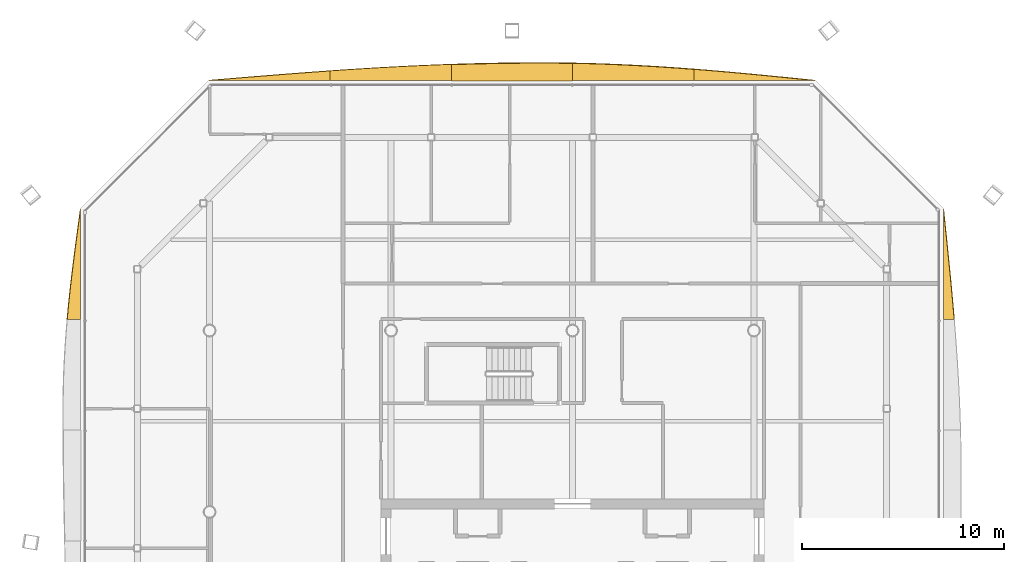
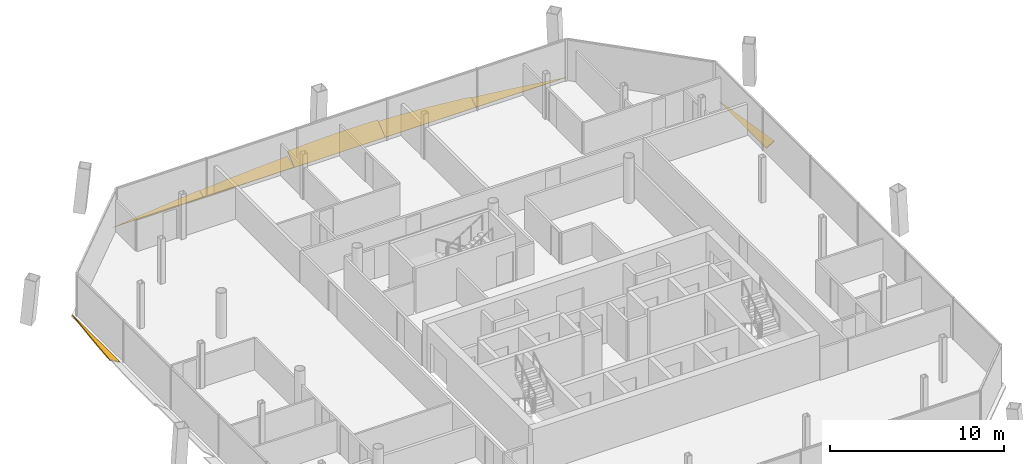
# One storey, part 20 of 20: 7 shading devices.
"""IFC4 building model written with IfcOpenShell, lengths in metres."""

import ifcopenshell
import ifcopenshell.guid

model = None  # the IFC model being written
_history = None  # IfcOwnerHistory: only IFC2X3 demands one
_inside = {}  # id of a spatial element -> (the spatial element, [elements in it])
_under = {}  # id of a project, library or spatial element -> (it, [spatial elements below it])
_declared = {}  # id of a project -> (the project, [libraries it declares])
_typed = {}  # id of a type object -> (the type object, [elements of that type])
_made_of = {}  # id of a material, layer set ... -> (it, [elements and type objects made of it])


def new_model(schema):
    """Start an empty IFC model of exactly this schema.

    Asked for "IFC4X3", IfcOpenShell would pick the latest addendum, in which some entities
    have other attributes; the version numbers below select the first issue.
    IFC2X3 requires an IfcOwnerHistory on every rooted entity: one is made here for all.
    """
    global model, _history
    if schema == "IFC4X3":
        model = ifcopenshell.file(schema_version=(4, 3, 0, 0))
    else:
        model = ifcopenshell.file(schema=schema)
    _inside.clear()
    _under.clear()
    _declared.clear()
    _typed.clear()
    _made_of.clear()
    _history = None
    if model.schema == "IFC2X3":
        org = make("IfcOrganization", Name="unknown")
        user = make(
            "IfcPersonAndOrganization",
            ThePerson=make("IfcPerson", FamilyName="unknown"),
            TheOrganization=org,
        )
        app = make(
            "IfcApplication",
            ApplicationDeveloper=org,
            Version="unknown",
            ApplicationFullName="unknown",
            ApplicationIdentifier="unknown",
        )
        _history = make(
            "IfcOwnerHistory",
            OwningUser=user,
            OwningApplication=app,
            ChangeAction="ADDED",
            CreationDate=0,
        )
    return model


def make(cls, **values):
    """One entity of the class cls with the attributes given. An attribute that is None is left unset."""
    return model.create_entity(
        cls, **{name: value for name, value in values.items() if value is not None}
    )


def rooted(cls, **values):
    """An entity with a GlobalId (a new one), such as an element, a storey or a relation."""
    return make(cls, GlobalId=ifcopenshell.guid.new(), OwnerHistory=_history, **values)


def si_unit(unit_type, name, prefix=None):
    """IfcSIUnit, for example si_unit("LENGTHUNIT", "METRE", prefix="MILLI")."""
    return make("IfcSIUnit", UnitType=unit_type, Prefix=prefix, Name=name)


def assignment(units):
    """IfcUnitAssignment: the units of a project."""
    return None if units is None else make("IfcUnitAssignment", Units=units)


def point(xyz):
    """IfcCartesianPoint."""
    return None if xyz is None else make("IfcCartesianPoint", Coordinates=xyz)


def direction(xyz):
    """IfcDirection."""
    return None if xyz is None else make("IfcDirection", DirectionRatios=xyz)


def frame(location, z_axis=None, x_axis=None):
    """IfcAxis2Placement3D, a coordinate frame: its origin and axes. An axis left out is left unset."""
    return make(
        "IfcAxis2Placement3D",
        Location=point(location),
        Axis=direction(z_axis),
        RefDirection=direction(x_axis),
    )


def origin():
    """The frame at (0, 0, 0) with its axes left unset."""
    return frame((0.0, 0.0, 0.0))


def place(relative_to, where):
    """IfcLocalPlacement: puts the frame where relative to a parent placement (None: the world)."""
    return make(
        "IfcLocalPlacement", PlacementRelTo=relative_to, RelativePlacement=where
    )


def context(
    kind, dimensions, precision=None, world=None, true_north=None, identifier=None
):
    """IfcGeometricRepresentationContext, for example the 3D "Model" context."""
    return make(
        "IfcGeometricRepresentationContext",
        ContextIdentifier=identifier,
        ContextType=kind,
        CoordinateSpaceDimension=dimensions,
        Precision=precision,
        WorldCoordinateSystem=world,
        TrueNorth=true_north,
    )


def subcontext(parent, identifier, kind, view, scale=None):
    """IfcGeometricRepresentationSubContext, for example "Body" below "Model"."""
    return make(
        "IfcGeometricRepresentationSubContext",
        ContextIdentifier=identifier,
        ContextType=kind,
        ParentContext=parent,
        TargetScale=scale,
        TargetView=view,
    )


def project(units=None, contexts=None):
    """IfcProject with its units and contexts."""
    return rooted(
        "IfcProject",
        Name="project",
        RepresentationContexts=contexts,
        UnitsInContext=assignment(units),
    )


def spatial(cls, under=None, at=None, **own):
    """A site, building, storey or space (cls), placed at a placement, below another one or the project."""
    s = rooted(cls, ObjectPlacement=at, **own)
    if under is not None:
        _under.setdefault(under.id(), (under, []))[1].append(s)
    return s


def polyline(points):
    """IfcPolyline through the points."""
    return make("IfcPolyline", Points=[point(p) for p in points])


def outline(outer, holes=None, kind="AREA"):
    """IfcArbitraryClosedProfileDef: a profile drawn as a closed curve; with holes, ...WithVoids."""
    if holes is None:
        return make("IfcArbitraryClosedProfileDef", ProfileType=kind, OuterCurve=outer)
    return make(
        "IfcArbitraryProfileDefWithVoids",
        ProfileType=kind,
        OuterCurve=outer,
        InnerCurves=holes,
    )


def extrude(swept, where, along, depth):
    """IfcExtrudedAreaSolid: the profile swept, set in the frame where, extruded along a direction by depth."""
    return make(
        "IfcExtrudedAreaSolid",
        SweptArea=swept,
        Position=where,
        ExtrudedDirection=direction(along),
        Depth=depth,
    )


def shape(context_of_items, identifier, shape_type, items):
    """IfcShapeRepresentation: the items that make up one representation, for example the "Body"."""
    return make(
        "IfcShapeRepresentation",
        ContextOfItems=context_of_items,
        RepresentationIdentifier=identifier,
        RepresentationType=shape_type,
        Items=items,
    )


def material(Name=None, Category=None):
    """IfcMaterial."""
    return make("IfcMaterial", Name=Name, Category=Category)


def layer(
    of_material, thickness, ventilated=None, Name=None, Category=None, Priority=None
):
    """IfcMaterialLayer: one layer of a wall or slab, of a material (None: an air gap)."""
    return make(
        "IfcMaterialLayer",
        Material=of_material,
        LayerThickness=thickness,
        IsVentilated=ventilated,
        Name=Name,
        Category=Category,
        Priority=Priority,
    )


def layer_set(layers, Name=None):
    """IfcMaterialLayerSet."""
    return make("IfcMaterialLayerSet", MaterialLayers=layers, LayerSetName=Name)


def made_of(thing, what):
    """Note that an element or type object is made of a material, layer set ...; save() writes the relation."""
    if what is not None:
        _made_of.setdefault(what.id(), (what, []))[1].append(thing)
    return thing


def type_object(cls, material=None, **own):
    """A type object (cls), such as IfcWallType, which elements share."""
    return made_of(rooted(cls, **own), material)


def element(
    cls,
    number,
    at=None,
    inside=None,
    cuts=None,
    type_object=None,
    material=None,
    context=None,
    identifier="Body",
    shape_type=None,
    held_by="IfcProductDefinitionShape",
    body=None,
    shapes=None,
    **own,
):
    """One element of the class cls, such as IfcWall. Its Tag is "e" and its number.

    at: its placement. inside: the storey or other place that contains it. cuts: it is an
    opening in that element (IfcRelVoidsElement). A single representation is given by context,
    identifier, shape_type and body (its items); several are given by shapes. held_by: the class
    of the entity that holds the representations. save() writes the other relations.
    """
    e = rooted(cls, Tag="e%d" % number, ObjectPlacement=at, **own)
    if body is not None:
        shapes = [shape(context, identifier, shape_type, body)]
    if shapes is not None:
        e.Representation = make(held_by, Representations=shapes)
    if inside is not None:
        _inside.setdefault(inside.id(), (inside, []))[1].append(e)
    if cuts is not None:
        rooted(
            "IfcRelVoidsElement", RelatingBuildingElement=cuts, RelatedOpeningElement=e
        )
    if type_object is not None:
        _typed.setdefault(type_object.id(), (type_object, []))[1].append(e)
    return made_of(e, material)


def aggregate(whole, parts):
    """IfcRelAggregates: a whole, such as a stair, and the parts it consists of."""
    return rooted("IfcRelAggregates", RelatingObject=whole, RelatedObjects=parts)


def save(model, path):
    """Write the relations noted so far, then the file.

    IfcRelAggregates (storeys below a building ...), IfcRelContainedInSpatialStructure (elements
    in a storey), IfcRelDefinesByType, IfcRelAssociatesMaterial and IfcRelDeclares: one each for
    every whole, place, type object, material and project.
    """
    for whole, parts in _under.values():
        aggregate(whole, parts)
    for where, things in _inside.values():
        rooted(
            "IfcRelContainedInSpatialStructure",
            RelatedElements=things,
            RelatingStructure=where,
        )
    for kind, things in _typed.values():
        rooted("IfcRelDefinesByType", RelatedObjects=things, RelatingType=kind)
    for what, things in _made_of.values():
        rooted("IfcRelAssociatesMaterial", RelatedObjects=things, RelatingMaterial=what)
    for by, libraries in _declared.values():
        rooted("IfcRelDeclares", RelatingContext=by, RelatedDefinitions=libraries)
    model.write(path)


model = new_model("IFC4")

# Units and contexts
model_context = context("Model", 3, precision=1e-05, world=origin(), true_north=direction((0.0, 1.0)))
body_context = subcontext(model_context, "Body", "Model", "MODEL_VIEW")
ifc_project = project(units=[si_unit("LENGTHUNIT", "METRE"), si_unit("AREAUNIT", "SQUARE_METRE"), si_unit("VOLUMEUNIT", "CUBIC_METRE"), si_unit("PLANEANGLEUNIT", "RADIAN"), si_unit("MASSUNIT", "GRAM", prefix="KILO")], contexts=[model_context])

# Site, building, storey
site_placement = place(None, origin())
site = spatial("IfcSite", under=ifc_project, at=site_placement, CompositionType="ELEMENT")
building_placement = place(site_placement, origin())
building = spatial("IfcBuilding", under=site, at=building_placement, Name="Tskaro Facet Tower", CompositionType="ELEMENT")
storey_placement = place(building_placement, frame((0.0, 0.0, 178.5)))
storey = spatial("IfcBuildingStorey", under=building, at=storey_placement, Name="L44", CompositionType="ELEMENT", Elevation=178.5)

# Shading devices
ifc_material = material(Name="Bronze anodised aluminium 6063-T6", Category="aluminium")
ifc_layer = layer(ifc_material, 0.06005859375, Name="Bronze anodised aluminium 6063-T6")
ifc_layer_set = layer_set([ifc_layer], Name="Bronze anodised aluminium 6063-T6")
shading_device_type = type_object("IfcShadingDeviceType", Name="Bronze sun blade (FN1)", PredefinedType="USERDEFINED", material=ifc_layer_set)
shading_device_1_placement = place(storey_placement, frame((18.39599609375, 9.545166015625, 0.052001953125), z_axis=(-0.499950924355, -1.985541e-06, 0.866053735765), x_axis=(-9.92673e-07, 0.999999999998, 1.719585e-06)))
element("IfcShadingDevice", 1, at=shading_device_1_placement, inside=storey, type_object=shading_device_type, Name="Fin blade east 6", ObjectType="FIN", PredefinedType="USERDEFINED", context=body_context, shape_type="SweptSolid", body=[
    extrude(outline(polyline([(0.0, 0.0), (5.489746093739178, -5.812494766833556e-22), (4.8037109376085985, -0.08291295299217548), (4.117431640498081, -0.16515891152140047), (3.4311523435173306, -0.2463149977870075), (2.7448730467312283, -0.32583627565718754), (2.058593749962306, -0.4033892479004654), (1.3725585939653309, -0.4778840422532231), (0.6862792970704814, -0.5491986003843191), (-3.2359182326239243e-11, -0.6167879861619444), (0.0, 0.0)])), origin(), (0.0, 0.0, -1.0), 0.06005859375),
])
shading_device_2_placement = place(storey_placement, frame((12.034912109375, 21.39599609375, 0.052001953125), z_axis=(3.460005e-06, -0.499896874273, 0.866084935258), x_axis=(-0.999999999994, -1.729646e-06, 2.996658e-06)))
element("IfcShadingDevice", 2, at=shading_device_2_placement, inside=storey, type_object=shading_device_type, Name="Fin blade north 1", ObjectType="FIN", PredefinedType="USERDEFINED", context=body_context, shape_type="SweptSolid", body=[
    extrude(outline(polyline([(0.0, 0.0), (6.013916015589002, 0.0), (6.013916015645374, -0.6461011319065858), (5.345703125320631, -0.5844166575459123), (4.677490234210362, -0.5192184638938909), (4.009277344087107, -0.45108413287388355), (3.341064453065378, -0.3799810207326459), (2.6728515624954383, -0.306698155910938), (2.0046386715327364, -0.2316584314435562), (1.3364257812182059, -0.1553173841185411), (0.6682128903979645, -0.07776441531796963), (0.0, 0.0)])), origin(), (0.0, 0.0, -1.0), 0.06005859375),
])
shading_device_3_placement = place(storey_placement, frame((6.02099609375, 21.3916015625, 0.049072265625), z_axis=(3.195417e-06, -0.573665043318, 0.819089993874), x_axis=(-0.999999999995, -1.833099e-06, 2.617334e-06)))
element("IfcShadingDevice", 3, at=shading_device_3_placement, inside=storey, type_object=shading_device_type, Name="Fin blade north 2", ObjectType="FIN", PredefinedType="USERDEFINED", context=body_context, shape_type="SweptSolid", body=[
    extrude(outline(polyline([(0.0, 0.0), (6.0139160155942974, 0.0), (6.013916015595317, -1.0494809241394039), (5.3457031249878675, -1.0316002279840868), (4.677490234193666, -1.0074192716917438), (4.009277344043174, -0.9774181382898453), (3.3410644528108646, -0.9415166910369942), (2.672851562413729, -0.9001350947598415), (2.00463867221277, -0.8531332945161703), (1.3364257815043823, -0.8012512646773073), (0.6682128902885671, -0.744489005243253), (-1.566808374674008e-10, -0.6831266260984412), (0.0, 0.0)])), origin(), (0.0, 0.0, -1.0), 0.06005859375),
])
shading_device_4_placement = place(storey_placement, frame((0.007080078125, 21.387451171875, 0.0458984375), z_axis=(5.770752e-06, -0.642874071273, 0.765971884897), x_axis=(-0.999999999983, -3.709867e-06, 4.420234e-06)))
element("IfcShadingDevice", 4, at=shading_device_4_placement, inside=storey, type_object=shading_device_type, Name="Fin blade north 3", ObjectType="FIN", PredefinedType="USERDEFINED", context=body_context, shape_type="SweptSolid", body=[
    extrude(outline(polyline([(0.0, 0.0), (6.01416015614986, 0.0), (6.01416015639754, -1.0397435292353725), (5.345947265763806, -1.0674704240573445), (4.677734375033807, -1.0910397873148785), (4.009521484034113, -1.1101076624757007), (3.3413085936704525, -1.1244870446850972), (2.672851562412102, -1.1343649387977819), (2.004638671509053, -1.139741344813755), (1.563720703286683, -1.1407732144105758), (1.3364257812420381, -1.1404292578783022), (0.6682128907439104, -1.1347088953300555), (-1.5875919187797078e-10, -1.1222363006367413), (0.0, 0.0)])), origin(), (0.0, 0.0, -1.0), 0.06005859375),
])
shading_device_5_placement = place(storey_placement, frame((-6.007080078125, 21.405517578125, 0.056396484375), z_axis=(1.8057087e-05, -0.342090963211, 0.93966684126), x_axis=(-0.999999999837, -6.177166e-06, 1.6967646e-05)))
element("IfcShadingDevice", 5, at=shading_device_5_placement, inside=storey, type_object=shading_device_type, Name="Fin blade north 4", ObjectType="FIN", PredefinedType="USERDEFINED", context=body_context, shape_type="SweptSolid", body=[
    extrude(outline(polyline([(0.0, 0.0), (6.013916014644557, -5.093985007254683e-21), (6.013916016169434, -0.50433389897763), (5.345703123820524, -0.5531423832764087), (4.677490232617016, -0.5996356150208617), (4.009277344067005, -0.6435841833610346), (3.3410644525199023, -0.6851339808453031), (2.6728515625, -0.723596774923804), (2.0046386709911035, -0.7594313872964461), (1.336425782517504, -0.7919495854133662), (0.6682128899205158, -0.8215266726728945), (-2.2755695640965846e-09, -0.8474744165251676), (0.0, 0.0)])), origin(), (0.0, 0.0, -1.0), 0.06005859375),
])
shading_device_6_placement = place(storey_placement, frame((-12.02099609375, 21.400634765625, 0.054443359375), z_axis=(-2.4519e-06, -0.422379903572, 0.906418897118), x_axis=(-0.999999999997, 1.035633e-06, -2.222448e-06)))
element("IfcShadingDevice", 6, at=shading_device_6_placement, inside=storey, type_object=shading_device_type, Name="Fin blade north 5", ObjectType="FIN", PredefinedType="USERDEFINED", context=body_context, shape_type="SweptSolid", body=[
    extrude(outline(polyline([(0.0, 0.0), (6.013916015606923, 6.367481259068353e-22), (5.345703125116951, -0.06138568806696221), (4.677490234374139, -0.12255008245786961), (4.009277343668236, -0.18316876940302146), (3.3410644532889937, -0.24291733513271713), (2.672851562693821, -0.30189889974060247), (2.0046386719196265, -0.3595677557809219), (1.3364257809664117, -0.4159239032536755), (0.6682128904136756, -0.4703185146194618), (-2.8331628830657437e-11, -0.5230760036479816), (0.0, 0.0)])), origin(), (0.0, 0.0, -1.0), 0.06005859375),
])
shading_device_7_placement = place(storey_placement, frame((-24.39599609375, 15.034912109375, 0.052001953125), z_axis=(0.49992743961, -9.924417e-06, 0.866067292436), x_axis=(-4.961488e-06, -0.999999999951, -8.595213e-06)))
element("IfcShadingDevice", 7, at=shading_device_7_placement, inside=storey, type_object=shading_device_type, Name="Fin blade west 1", ObjectType="FIN", PredefinedType="USERDEFINED", context=body_context, shape_type="SweptSolid", body=[
    extrude(outline(polyline([(0.0, 0.0), (5.4897460934796465, -4.649995813466845e-21), (5.489746094075686, -0.7692586324700448), (4.803466796977012, -0.6940074623539831), (4.117187499536963, -0.6108830687946741), (3.4311523427046913, -0.5204303888098403), (2.74487304587854, -0.4237392964349261), (2.058593749444681, -0.3222331605130212), (1.372314454051436, -0.21700185507957034), (0.6860351570373849, -0.10904586455750756), (0.0, 0.0)])), origin(), (0.0, 0.0, -1.0), 0.06005859375),
])

save(model, "model.ifc")
